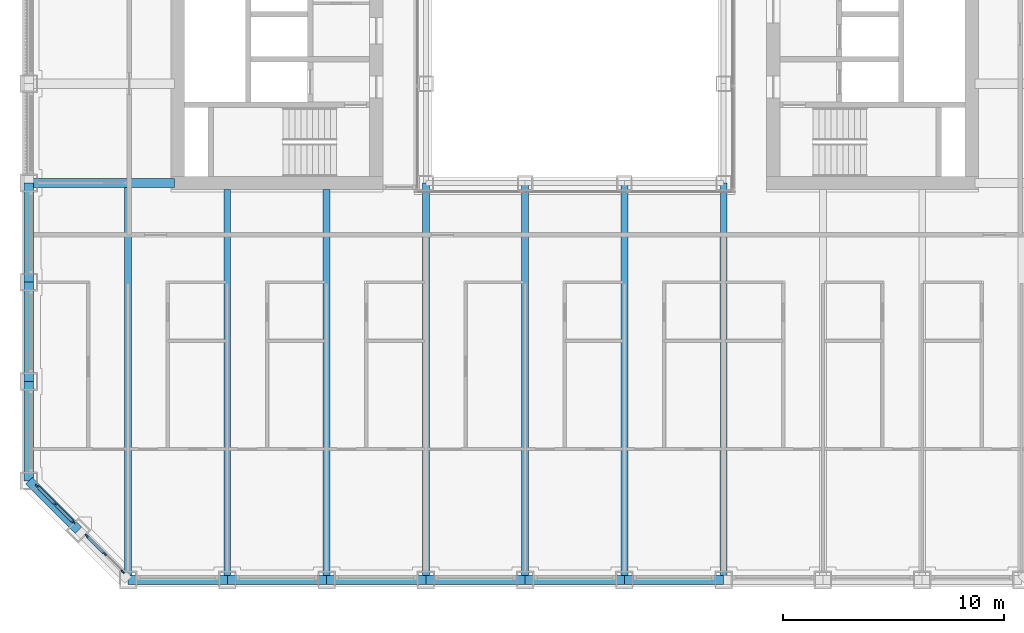
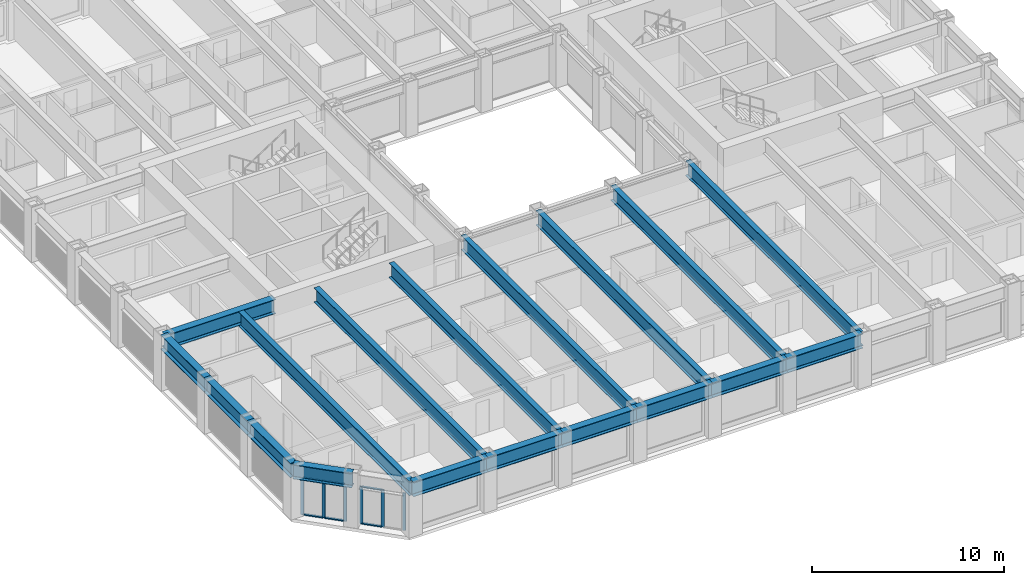
# One storey, part 2 of 21: 18 beams, 12 members, 2 elements without a shape of their own.
"""IFC4 building model written with IfcOpenShell, lengths in metres."""

from ifc_helpers import new_model, si_unit, direction, frame, origin, origin_2d, place, context, subcontext, project, spatial, rectangle, i_section, extrude, material, material_profile, profile_set, type_object, element, aggregate, save


model = new_model("IFC4")

# Units and contexts
model_context = context("Model", 3, precision=1e-05, world=origin(), true_north=direction((0.0, 1.0)))
body_context = subcontext(model_context, "Body", "Model", "MODEL_VIEW")
ifc_project = project(units=[si_unit("LENGTHUNIT", "METRE"), si_unit("AREAUNIT", "SQUARE_METRE"), si_unit("VOLUMEUNIT", "CUBIC_METRE"), si_unit("PLANEANGLEUNIT", "RADIAN"), si_unit("MASSUNIT", "GRAM", prefix="KILO")], contexts=[model_context])

# Site, building, storey
site_placement = place(None, origin())
site = spatial("IfcSite", under=ifc_project, at=site_placement, CompositionType="ELEMENT")
building_placement = place(site_placement, origin())
building = spatial("IfcBuilding", under=site, at=building_placement, Name="Msasa Ring Tower", CompositionType="ELEMENT")
storey_placement = place(building_placement, frame((0.0, 0.0, 93.0)))
storey = spatial("IfcBuildingStorey", under=building, at=storey_placement, Name="L24", CompositionType="ELEMENT", Elevation=93.0)

# Curtain wall, members
ifc_material_1 = material(Name="Aluminium curtain wall with clear glass", Category="aluminium")
curtain_wall_type = type_object("IfcCurtainWallType", Name="CW-C CHAMFER CORNER CURTAIN WALL", PredefinedType="NOTDEFINED", material=ifc_material_1)
curtain_wall_1_placement = place(storey_placement, origin())
curtain_wall_1 = element("IfcCurtainWall", 1, at=curtain_wall_1_placement, inside=storey, type_object=curtain_wall_type, Name="Chamfer corner curtain wall SW L24", PredefinedType="NOTDEFINED")
ifc_material_2 = material(Name="Aluminium mullion", Category="aluminium")
ifc_material_profile_1 = material_profile(ifc_material_2, rectangle(XDim=0.06494140625, YDim=0.179931640625, at=origin_2d()), Name="AL 65x180")
ifc_profile_set_1 = profile_set([ifc_material_profile_1], Name="Aluminium mullion")
member_type_1 = type_object("IfcMemberType", Name="CW-C MULLION 65x180", PredefinedType="MULLION", material=ifc_profile_set_1)
member_1_placement = place(storey_placement, frame((-24.369873046875, -20.48876953125, 0.0), z_axis=(0.0, 0.0, 1.0), x_axis=(0.707106781187, 0.707106781187, 0.0)))
member_1 = element("IfcMember", 2, at=member_1_placement, type_object=member_type_1, Name="CW-C mullion 1", PredefinedType="MULLION", context=body_context, shape_type="SweptSolid", body=[
    extrude(rectangle(XDim=0.06494140625, YDim=0.179931640625, at=origin_2d()), origin(), (0.0, 0.0, 1.0), 2.37890625),
])
member_2_placement = place(storey_placement, frame((-23.55419921875, -21.30419921875, 0.0), z_axis=(0.0, 0.0, 1.0), x_axis=(0.707106781187, 0.707106781187, 0.0)))
member_2 = element("IfcMember", 3, at=member_2_placement, type_object=member_type_1, Name="CW-C mullion 2", PredefinedType="MULLION", context=body_context, shape_type="SweptSolid", body=[
    extrude(rectangle(XDim=0.06494140625, YDim=0.179931640625, at=origin_2d()), origin(), (0.0, 0.0, 1.0), 2.37890625),
])
member_3_placement = place(storey_placement, frame((-22.73876953125, -22.119873046875, 0.0), z_axis=(0.0, 0.0, 1.0), x_axis=(0.707106781187, 0.707106781187, 0.0)))
member_3 = element("IfcMember", 4, at=member_3_placement, type_object=member_type_1, Name="CW-C mullion 3", PredefinedType="MULLION", context=body_context, shape_type="SweptSolid", body=[
    extrude(rectangle(XDim=0.06494140625, YDim=0.179931640625, at=origin_2d()), origin(), (0.0, 0.0, 1.0), 2.37890625),
])

curtain_wall_2_placement = place(storey_placement, origin())
curtain_wall_2 = element("IfcCurtainWall", 5, at=curtain_wall_2_placement, inside=storey, type_object=curtain_wall_type, Name="Chamfer corner curtain wall SW L24", PredefinedType="NOTDEFINED")
member_4_placement = place(storey_placement, frame((-22.119873046875, -22.73876953125, 0.0), z_axis=(0.0, 0.0, 1.0), x_axis=(0.707106781187, 0.707106781187, 0.0)))
member_4 = element("IfcMember", 6, at=member_4_placement, type_object=member_type_1, Name="CW-C mullion 1", PredefinedType="MULLION", context=body_context, shape_type="SweptSolid", body=[
    extrude(rectangle(XDim=0.06494140625, YDim=0.179931640625, at=origin_2d()), origin(), (0.0, 0.0, 1.0), 2.37890625),
])
member_5_placement = place(storey_placement, frame((-21.30419921875, -23.55419921875, 0.0), z_axis=(0.0, 0.0, 1.0), x_axis=(0.707106781187, 0.707106781187, 0.0)))
member_5 = element("IfcMember", 7, at=member_5_placement, type_object=member_type_1, Name="CW-C mullion 2", PredefinedType="MULLION", context=body_context, shape_type="SweptSolid", body=[
    extrude(rectangle(XDim=0.06494140625, YDim=0.179931640625, at=origin_2d()), origin(), (0.0, 0.0, 1.0), 2.37890625),
])
member_6_placement = place(storey_placement, frame((-20.48876953125, -24.369873046875, 0.0), z_axis=(0.0, 0.0, 1.0), x_axis=(0.707106781187, 0.707106781187, 0.0)))
member_6 = element("IfcMember", 8, at=member_6_placement, type_object=member_type_1, Name="CW-C mullion 3", PredefinedType="MULLION", context=body_context, shape_type="SweptSolid", body=[
    extrude(rectangle(XDim=0.06494140625, YDim=0.179931640625, at=origin_2d()), origin(), (0.0, 0.0, 1.0), 2.37890625),
])

# Member
ifc_material_3 = material(Name="Aluminium transom", Category="aluminium")
ifc_material_profile_2 = material_profile(ifc_material_3, rectangle(XDim=0.139892578125, YDim=0.06494140625, at=origin_2d()), Name="AL 65x140")
ifc_profile_set_2 = profile_set([ifc_material_profile_2], Name="Aluminium transom")
member_type_2 = type_object("IfcMemberType", Name="CW-C TRANSOM 65x140", PredefinedType="USERDEFINED", material=ifc_profile_set_2)
member_7_placement = place(storey_placement, frame((-24.346923828125, -20.51171875, 0.032470703125), z_axis=(0.707106781187, -0.707106781187, 0.0), x_axis=(0.707106781187, 0.707106781187, 0.0)))
member_7 = element("IfcMember", 9, at=member_7_placement, type_object=member_type_2, Name="CW-C transom 1.1", ObjectType="TRANSOM", PredefinedType="USERDEFINED", context=body_context, shape_type="SweptSolid", body=[
    extrude(rectangle(XDim=0.139892578125, YDim=0.06494140625, at=origin_2d()), origin(), (0.0, 0.0, 1.0), 1.08837890625),
])

member_8_placement = place(storey_placement, frame((-24.346923828125, -20.51171875, 2.346435546875), z_axis=(0.707106781187, -0.707106781187, 0.0), x_axis=(0.707106781187, 0.707106781187, 0.0)))
member_8 = element("IfcMember", 10, at=member_8_placement, type_object=member_type_2, Name="CW-C transom 1.2", ObjectType="TRANSOM", PredefinedType="USERDEFINED", context=body_context, shape_type="SweptSolid", body=[
    extrude(rectangle(XDim=0.139892578125, YDim=0.06494140625, at=origin_2d()), origin(), (0.0, 0.0, 1.0), 1.08837890625),
])

member_9_placement = place(storey_placement, frame((-23.53125, -21.327392578125, 0.032470703125), z_axis=(0.707106781187, -0.707106781187, 0.0), x_axis=(0.707106781187, 0.707106781187, 0.0)))
member_9 = element("IfcMember", 11, at=member_9_placement, type_object=member_type_2, Name="CW-C transom 2.1", ObjectType="TRANSOM", PredefinedType="USERDEFINED", context=body_context, shape_type="SweptSolid", body=[
    extrude(rectangle(XDim=0.139892578125, YDim=0.06494140625, at=origin_2d()), origin(), (0.0, 0.0, 1.0), 1.08837890625),
])

member_10_placement = place(storey_placement, frame((-23.53125, -21.327392578125, 2.346435546875), z_axis=(0.707106781187, -0.707106781187, 0.0), x_axis=(0.707106781187, 0.707106781187, 0.0)))
member_10 = element("IfcMember", 12, at=member_10_placement, type_object=member_type_2, Name="CW-C transom 2.2", ObjectType="TRANSOM", PredefinedType="USERDEFINED", context=body_context, shape_type="SweptSolid", body=[
    extrude(rectangle(XDim=0.139892578125, YDim=0.06494140625, at=origin_2d()), origin(), (0.0, 0.0, 1.0), 1.08837890625),
])

aggregate(curtain_wall_1, [member_1, member_2, member_3, member_7, member_8, member_9, member_10])

member_11_placement = place(storey_placement, frame((-22.096923828125, -22.76171875, 0.032470703125), z_axis=(0.707106781187, -0.707106781187, 0.0), x_axis=(0.707106781187, 0.707106781187, 0.0)))
member_11 = element("IfcMember", 13, at=member_11_placement, type_object=member_type_2, Name="CW-C transom 1.1", ObjectType="TRANSOM", PredefinedType="USERDEFINED", context=body_context, shape_type="SweptSolid", body=[
    extrude(rectangle(XDim=0.139892578125, YDim=0.06494140625, at=origin_2d()), origin(), (0.0, 0.0, 1.0), 1.08837890625),
])

member_12_placement = place(storey_placement, frame((-22.096923828125, -22.76171875, 2.346435546875), z_axis=(0.707106781187, -0.707106781187, 0.0), x_axis=(0.707106781187, 0.707106781187, 0.0)))
member_12 = element("IfcMember", 14, at=member_12_placement, type_object=member_type_2, Name="CW-C transom 1.2", ObjectType="TRANSOM", PredefinedType="USERDEFINED", context=body_context, shape_type="SweptSolid", body=[
    extrude(rectangle(XDim=0.139892578125, YDim=0.06494140625, at=origin_2d()), origin(), (0.0, 0.0, 1.0), 1.08837890625),
])

aggregate(curtain_wall_2, [member_4, member_5, member_6, member_11, member_12])

# Beams
ifc_material_4 = material(Name="Steel S355", Category="steel")
ifc_material_profile_3 = material_profile(ifc_material_4, i_section(OverallWidth=0.3076171875, OverallDepth=0.926513671875, WebThickness=0.01953125, FlangeThickness=0.031982421875, FilletRadius=0.01904296875, at=origin_2d()), Name="UB 914x305x289")
ifc_profile_set_3 = profile_set([ifc_material_profile_3], Name="Steel S355")
beam_type_1 = type_object("IfcBeamType", Name="FB3 UB 914x305x289", PredefinedType="BEAM", material=ifc_profile_set_3)
beam_1_placement = place(storey_placement, frame((-20.25, -24.75, 2.836669921875), z_axis=(0.0, 1.0, 0.0), x_axis=(-1.0, 0.0, 0.0)))
element("IfcBeam", 15, at=beam_1_placement, inside=storey, type_object=beam_type_1, Name="Floor beam S-20.25 under L25", PredefinedType="BEAM", context=body_context, shape_type="SweptSolid", body=[
    extrude(i_section(OverallWidth=0.3076171875, OverallDepth=0.926513671875, WebThickness=0.01953125, FlangeThickness=0.031982421875, FilletRadius=0.01904296875, at=origin_2d()), origin(), (0.0, 0.0, 1.0), 17.789794921875),
])
for number, where, z_axis, x_axis, name in (
    (16, (-15.75, -24.75, 2.836669921875), (0.0, 1.0, 0.0), (-1.0, 0.0, 0.0), "Floor beam S-15.75 under L25"),
    (17, (-11.25, -24.75, 2.836669921875), (0.0, 1.0, 0.0), (-1.0, 0.0, 0.0), "Floor beam S-11.25 under L25"),
):
    element("IfcBeam", number, at=place(storey_placement, frame(where, z_axis=z_axis, x_axis=x_axis)), inside=storey, type_object=beam_type_1, Name=name, PredefinedType="BEAM", context=body_context, shape_type="SweptSolid", body=[
        extrude(i_section(OverallWidth=0.3076171875, OverallDepth=0.926513671875, WebThickness=0.01953125, FlangeThickness=0.031982421875, FilletRadius=0.01904296875, at=origin_2d()), origin(), (0.0, 0.0, 1.0), 17.699951171875),
    ])
for number, where, z_axis, x_axis, name in (
    (18, (-6.75, -24.75, 2.836669921875), (0.0, 1.0, 0.0), (-1.0, 0.0, 0.0), "Floor beam S-6.75 under L25"),
    (19, (-2.25, -24.75, 2.836669921875), (0.0, 1.0, 0.0), (-1.0, 0.0, 0.0), "Floor beam S-2.25 under L25"),
    (20, (2.25, -24.75, 2.836669921875), (0.0, 1.0, 0.0), (-1.0, 0.0, 0.0), "Floor beam S+2.25 under L25"),
    (21, (6.75, -24.75, 2.836669921875), (0.0, 1.0, 0.0), (-1.0, 0.0, 0.0), "Floor beam S+6.75 under L25"),
):
    element("IfcBeam", number, at=place(storey_placement, frame(where, z_axis=z_axis, x_axis=x_axis)), inside=storey, type_object=beam_type_1, Name=name, PredefinedType="BEAM", context=body_context, shape_type="SweptSolid", body=[
        extrude(i_section(OverallWidth=0.3076171875, OverallDepth=0.926513671875, WebThickness=0.01953125, FlangeThickness=0.031982421875, FilletRadius=0.01904296875, at=origin_2d()), origin(), (0.0, 0.0, 1.0), 18.0),
    ])
ifc_material_5 = material(Name="Steel S355", Category="steel")
ifc_material_profile_4 = material_profile(ifc_material_5, i_section(OverallWidth=0.42041015625, OverallDepth=0.9208984375, WebThickness=0.021484375, FlangeThickness=0.03662109375, FilletRadius=0.024169921875, at=origin_2d()), Name="UB 914x419x388")
ifc_profile_set_4 = profile_set([ifc_material_profile_4], Name="Steel S355")
beam_type_2 = type_object("IfcBeamType", Name="GB1 UB 914x419x388", PredefinedType="BEAM", material=ifc_profile_set_4)
beam_2_placement = place(storey_placement, frame((-18.14990234375, -6.75, 2.839599609375), z_axis=(-1.0, 0.0, 0.0), x_axis=(0.0, -1.0, 0.0)))
element("IfcBeam", 22, at=beam_2_placement, inside=storey, type_object=beam_type_2, Name="Girder W -6.75 under L25", PredefinedType="BEAM", context=body_context, shape_type="SweptSolid", body=[
    extrude(i_section(OverallWidth=0.42041015625, OverallDepth=0.9208984375, WebThickness=0.021484375, FlangeThickness=0.03662109375, FilletRadius=0.024169921875, at=origin_2d()), origin(), (0.0, 0.0, 1.0), 6.60009765625),
])
ifc_material_6 = material(Name="Steel S355", Category="steel")
ifc_material_profile_5 = material_profile(ifc_material_6, i_section(OverallWidth=0.42041015625, OverallDepth=0.9208984375, WebThickness=0.021484375, FlangeThickness=0.03662109375, FilletRadius=0.024169921875, at=origin_2d()), Name="UB 914x419x388")
ifc_profile_set_5 = profile_set([ifc_material_profile_5], Name="Steel S355")
beam_type_3 = type_object("IfcBeamType", Name="SB1 UB 914x419x388", PredefinedType="SPANDREL", material=ifc_profile_set_5)
for number, where, z_axis, x_axis, name in (
    (23, (-24.75, -6.75, 2.839599609375), (0.0, -1.0, 0.0), (1.0, 0.0, 0.0), "Spandrel W-6.75 to W-11.25 under L25"),
    (24, (-24.75, -11.25, 2.839599609375), (0.0, -1.0, 0.0), (1.0, 0.0, 0.0), "Spandrel W-11.25 to W-15.75 under L25"),
    (25, (-24.75, -15.75, 2.839599609375), (0.0, -1.0, 0.0), (1.0, 0.0, 0.0), "Spandrel W-15.75 to W-20.25 under L25"),
):
    element("IfcBeam", number, at=place(storey_placement, frame(where, z_axis=z_axis, x_axis=x_axis)), inside=storey, type_object=beam_type_3, Name=name, PredefinedType="SPANDREL", context=body_context, shape_type="SweptSolid", body=[
        extrude(i_section(OverallWidth=0.42041015625, OverallDepth=0.9208984375, WebThickness=0.021484375, FlangeThickness=0.03662109375, FilletRadius=0.024169921875, at=origin_2d()), origin(), (0.0, 0.0, 1.0), 4.5),
    ])
beam_3_placement = place(storey_placement, frame((-24.75, -20.25, 2.839599609375), z_axis=(0.707106781187, -0.707106781187, 0.0), x_axis=(0.707106781187, 0.707106781187, 0.0)))
element("IfcBeam", 26, at=beam_3_placement, inside=storey, type_object=beam_type_3, Name="Spandrel W-20.25 to SW under L25", PredefinedType="SPANDREL", context=body_context, shape_type="SweptSolid", body=[
    extrude(i_section(OverallWidth=0.42041015625, OverallDepth=0.9208984375, WebThickness=0.021484375, FlangeThickness=0.03662109375, FilletRadius=0.024169921875, at=origin_2d()), origin(), (0.0, 0.0, 1.0), 3.181884765625),
])
for number, where, z_axis, x_axis, name in (
    (27, (-20.25, -24.75, 2.839599609375), (1.0, 0.0, 0.0), (0.0, 1.0, 0.0), "Spandrel S-20.25 to S-15.75 under L25"),
    (28, (-15.75, -24.75, 2.839599609375), (1.0, 0.0, 0.0), (0.0, 1.0, 0.0), "Spandrel S-15.75 to S-11.25 under L25"),
    (29, (-11.25, -24.75, 2.839599609375), (1.0, 0.0, 0.0), (0.0, 1.0, 0.0), "Spandrel S-11.25 to S-6.75 under L25"),
    (30, (-6.75, -24.75, 2.839599609375), (1.0, 0.0, 0.0), (0.0, 1.0, 0.0), "Spandrel S-6.75 to S-2.25 under L25"),
    (31, (-2.25, -24.75, 2.839599609375), (1.0, 0.0, 0.0), (0.0, 1.0, 0.0), "Spandrel S-2.25 to S+2.25 under L25"),
    (32, (2.25, -24.75, 2.839599609375), (1.0, 0.0, 0.0), (0.0, 1.0, 0.0), "Spandrel S+2.25 to S+6.75 under L25"),
):
    element("IfcBeam", number, at=place(storey_placement, frame(where, z_axis=z_axis, x_axis=x_axis)), inside=storey, type_object=beam_type_3, Name=name, PredefinedType="SPANDREL", context=body_context, shape_type="SweptSolid", body=[
        extrude(i_section(OverallWidth=0.42041015625, OverallDepth=0.9208984375, WebThickness=0.021484375, FlangeThickness=0.03662109375, FilletRadius=0.024169921875, at=origin_2d()), origin(), (0.0, 0.0, 1.0), 4.5),
    ])

save(model, "model.ifc")
